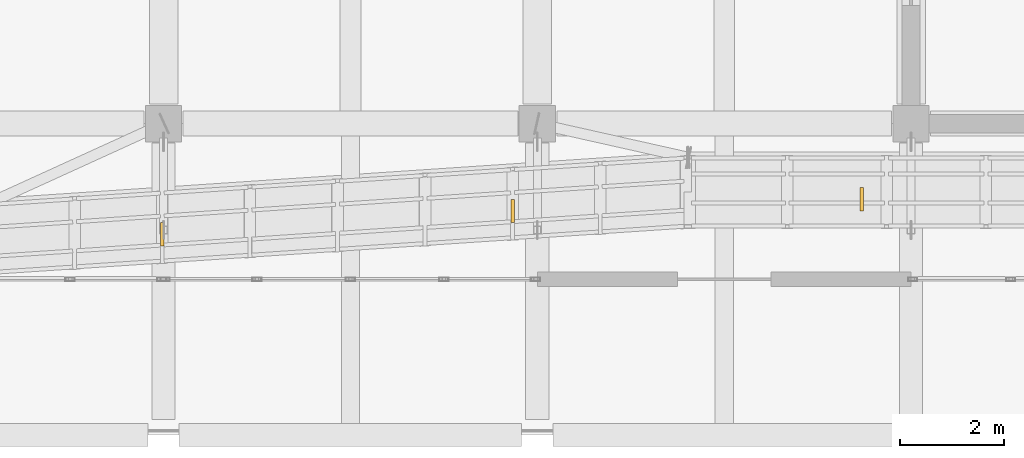
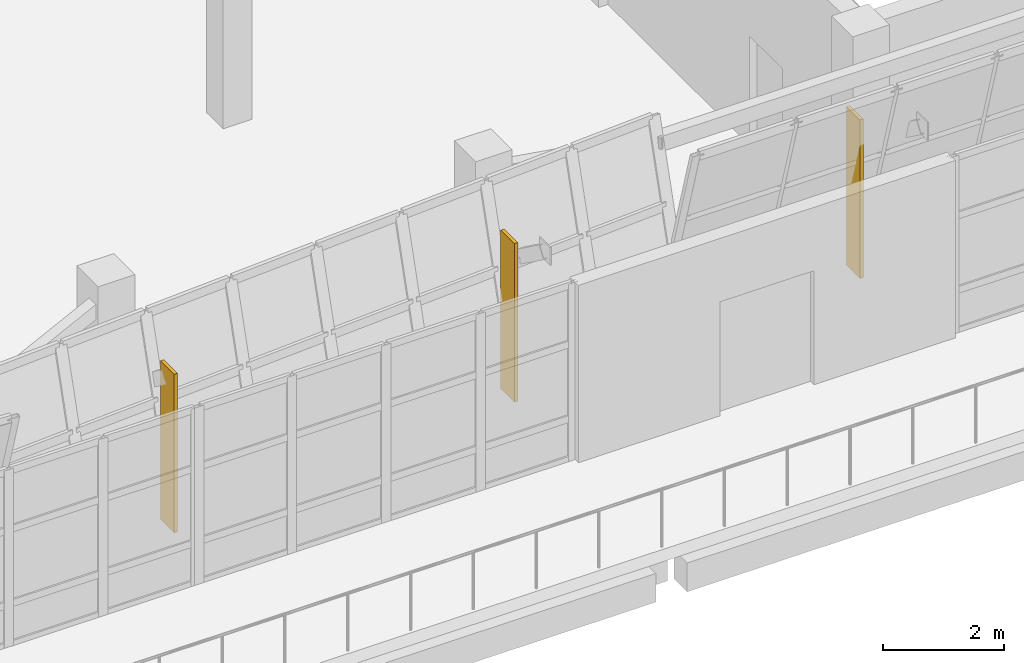
# One storey, part 61 of 67: 3 shading devices.
"""IFC4 building model written with IfcOpenShell, lengths in metres."""

from ifc_helpers import new_model, si_unit, direction, frame, origin, origin_2d, place, context, subcontext, project, spatial, rectangle, extrude, material, type_object, element, save


model = new_model("IFC4")

# Units and contexts
model_context = context("Model", 3, precision=1e-05, world=origin(), true_north=direction((0.0, 1.0)))
body_context = subcontext(model_context, "Body", "Model", "MODEL_VIEW")
ifc_project = project(units=[si_unit("LENGTHUNIT", "METRE"), si_unit("AREAUNIT", "SQUARE_METRE"), si_unit("VOLUMEUNIT", "CUBIC_METRE"), si_unit("PLANEANGLEUNIT", "RADIAN"), si_unit("MASSUNIT", "GRAM", prefix="KILO")], contexts=[model_context])

# Site, building, storey
site_placement = place(None, origin())
site = spatial("IfcSite", under=ifc_project, at=site_placement, CompositionType="ELEMENT")
building_placement = place(site_placement, origin())
building = spatial("IfcBuilding", under=site, at=building_placement, Name="Pellamere Symphony Hall", CompositionType="ELEMENT")
storey_placement = place(building_placement, frame((0.0, 0.0, 19.5)))
storey = spatial("IfcBuildingStorey", under=building, at=storey_placement, Name="L04", CompositionType="ELEMENT", Elevation=19.5)

# Shading devices
ifc_material = material(Name="Champagne-Anodised Extruded Aluminium 6063-T6", Category="aluminium")
shading_device_type = type_object("IfcShadingDeviceType", Name="Exterior Shading SD-01 65x450", PredefinedType="SHUTTER", material=ifc_material)
for number, where, z_axis, x_axis, name in (
    (1, (94.77490234375, 27.868408203125, 0.64990234375), (0.0, 0.0, 1.0), (1.0, 0.0, 0.0), "Crystal Acoustic Sunshade Fin CW-CR04 (L04)"),
    (2, (101.52490234375, 28.318603515625, 0.64990234375), (0.0, 0.0, 1.0), (1.0, 0.0, 0.0), "Crystal Acoustic Sunshade Fin CW-CR04 (L04)"),
    (3, (108.25, 28.54345703125, 0.64990234375), (0.0, 0.0, 1.0), (1.0, 0.0, 0.0), "Crystal Acoustic Sunshade Fin CW-CR05 (L04)"),
):
    element("IfcShadingDevice", number, at=place(storey_placement, frame(where, z_axis=z_axis, x_axis=x_axis)), inside=storey, type_object=shading_device_type, Name=name, PredefinedType="SHUTTER", context=body_context, shape_type="SweptSolid", body=[
        extrude(rectangle(XDim=0.06494140625, YDim=0.449951171875, at=origin_2d()), origin(), (0.0, 0.0, 1.0), 3.199951171875),
    ])

save(model, "model.ifc")
